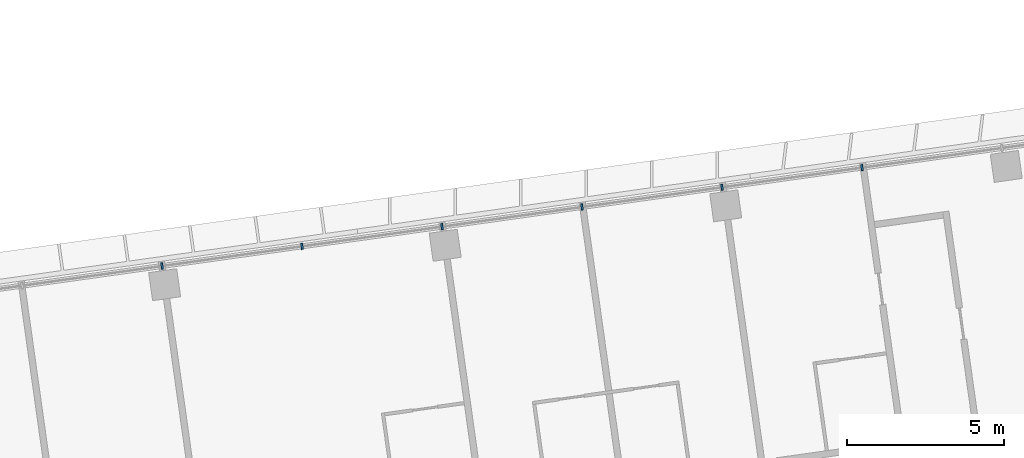
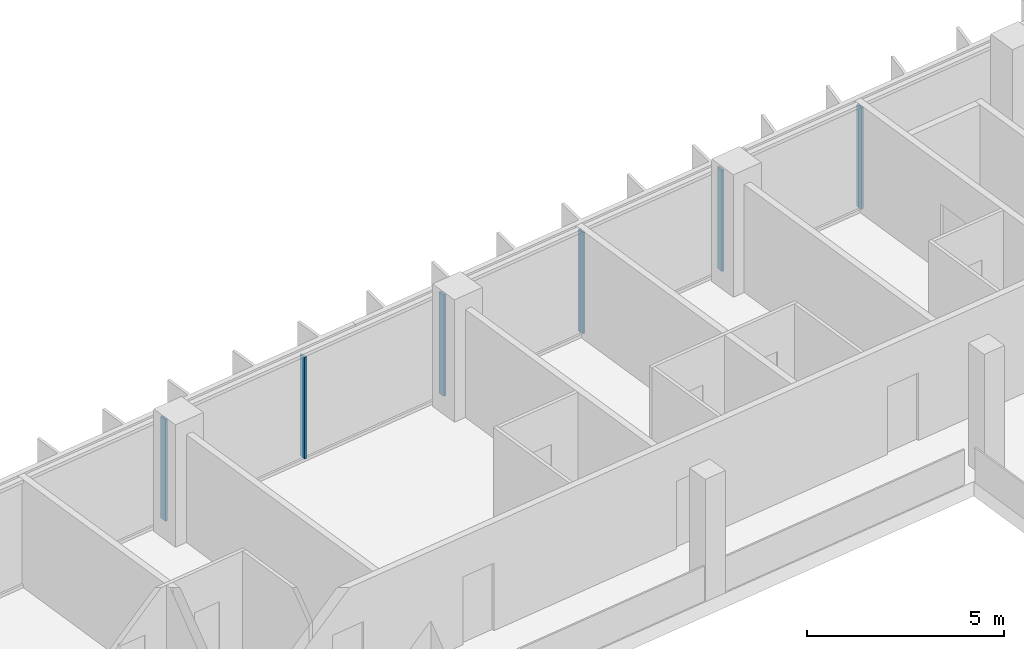
# One storey, part 10 of 24: 6 members, 1 element without a shape of its own.
"""IFC4 building model written with IfcOpenShell, lengths in metres."""

from ifc_helpers import new_model, si_unit, direction, frame, origin, origin_2d, place, context, subcontext, project, spatial, rectangle, extrude, material, material_profile, profile_set, type_object, element, aggregate, save


model = new_model("IFC4")

# Units and contexts
model_context = context("Model", 3, precision=1e-05, world=origin(), true_north=direction((0.0, 1.0)))
body_context = subcontext(model_context, "Body", "Model", "MODEL_VIEW")
ifc_project = project(units=[si_unit("LENGTHUNIT", "METRE"), si_unit("AREAUNIT", "SQUARE_METRE"), si_unit("VOLUMEUNIT", "CUBIC_METRE"), si_unit("PLANEANGLEUNIT", "RADIAN"), si_unit("MASSUNIT", "GRAM", prefix="KILO")], contexts=[model_context])

# Site, building, storey
site_placement = place(None, origin())
site = spatial("IfcSite", under=ifc_project, at=site_placement, CompositionType="ELEMENT")
building_placement = place(site_placement, origin())
building = spatial("IfcBuilding", under=site, at=building_placement, Name="Mirante Cascada Hotel Towers", CompositionType="ELEMENT")
storey_placement = place(building_placement, frame((0.0, 0.0, 132.9)))
storey = spatial("IfcBuildingStorey", under=building, at=storey_placement, Name="L30", CompositionType="ELEMENT", Elevation=132.9)

# Curtain wall, members
ifc_material_1 = material(Name="Aluminium mullion and transom frame with clear laminated glass", Category="aluminium")
curtain_wall_type = type_object("IfcCurtainWallType", Name="Ribbon curtain wall ECW1", PredefinedType="NOTDEFINED", material=ifc_material_1)
curtain_wall_placement = place(storey_placement, origin())
curtain_wall = element("IfcCurtainWall", 1, at=curtain_wall_placement, inside=storey, type_object=curtain_wall_type, Name="Front ribbon wall T2 L30", PredefinedType="NOTDEFINED")
ifc_material_2 = material(Name="Anodised aluminium extrusion", Category="aluminium")
ifc_material_profile = material_profile(ifc_material_2, rectangle(XDim=0.2, YDim=0.065, at=origin_2d()), Name="ECW1 MULLION 65x200")
ifc_profile_set = profile_set([ifc_material_profile], Name="Anodised aluminium extrusion")
member_type = type_object("IfcMemberType", Name="ECW1 mullion 65x200", PredefinedType="MULLION", material=ifc_profile_set)
member_1_placement = place(storey_placement, frame((85.2633, 24.802, 0.1), z_axis=(0.0, 0.0, 1.0), x_axis=(0.1391731, -0.9902681, 0.0)))
member_1 = element("IfcMember", 2, at=member_1_placement, type_object=member_type, Name="ECW1 mullion 3", PredefinedType="MULLION", context=body_context, shape_type="SweptSolid", body=[
    extrude(rectangle(XDim=0.2, YDim=0.065, at=origin_2d()), origin(), (0.0, 0.0, 1.0), 3.15),
])
member_2_placement = place(storey_placement, frame((80.8159, 24.177, 0.1), z_axis=(0.0, 0.0, 1.0), x_axis=(0.1391731, -0.9902681, 0.0)))
member_2 = element("IfcMember", 3, at=member_2_placement, type_object=member_type, Name="ECW1 mullion 4", PredefinedType="MULLION", context=body_context, shape_type="SweptSolid", body=[
    extrude(rectangle(XDim=0.2, YDim=0.065, at=origin_2d()), origin(), (0.0, 0.0, 1.0), 3.15),
])
member_3_placement = place(storey_placement, frame((76.3685, 23.5519, 0.1), z_axis=(0.0, 0.0, 1.0), x_axis=(0.1391731, -0.9902681, 0.0)))
member_3 = element("IfcMember", 4, at=member_3_placement, type_object=member_type, Name="ECW1 mullion 5", PredefinedType="MULLION", context=body_context, shape_type="SweptSolid", body=[
    extrude(rectangle(XDim=0.2, YDim=0.065, at=origin_2d()), origin(), (0.0, 0.0, 1.0), 3.15),
])
member_4_placement = place(storey_placement, frame((71.9211, 22.9269, 0.1), z_axis=(0.0, 0.0, 1.0), x_axis=(0.1391731, -0.9902681, 0.0)))
member_4 = element("IfcMember", 5, at=member_4_placement, type_object=member_type, Name="ECW1 mullion 6", PredefinedType="MULLION", context=body_context, shape_type="SweptSolid", body=[
    extrude(rectangle(XDim=0.2, YDim=0.065, at=origin_2d()), origin(), (0.0, 0.0, 1.0), 3.15),
])
member_5_placement = place(storey_placement, frame((67.4737, 22.3018, 0.1), z_axis=(0.0, 0.0, 1.0), x_axis=(0.1391731, -0.9902681, 0.0)))
member_5 = element("IfcMember", 6, at=member_5_placement, type_object=member_type, Name="ECW1 mullion 7", PredefinedType="MULLION", context=body_context, shape_type="SweptSolid", body=[
    extrude(rectangle(XDim=0.2, YDim=0.065, at=origin_2d()), origin(), (0.0, 0.0, 1.0), 3.15),
])
member_6_placement = place(storey_placement, frame((63.0262, 21.6768, 0.1), z_axis=(0.0, 0.0, 1.0), x_axis=(0.1391731, -0.9902681, 0.0)))
member_6 = element("IfcMember", 7, at=member_6_placement, type_object=member_type, Name="ECW1 mullion 8", PredefinedType="MULLION", context=body_context, shape_type="SweptSolid", body=[
    extrude(rectangle(XDim=0.2, YDim=0.065, at=origin_2d()), origin(), (0.0, 0.0, 1.0), 3.15),
])
aggregate(curtain_wall, [member_1, member_2, member_3, member_4, member_5, member_6])

save(model, "model.ifc")
